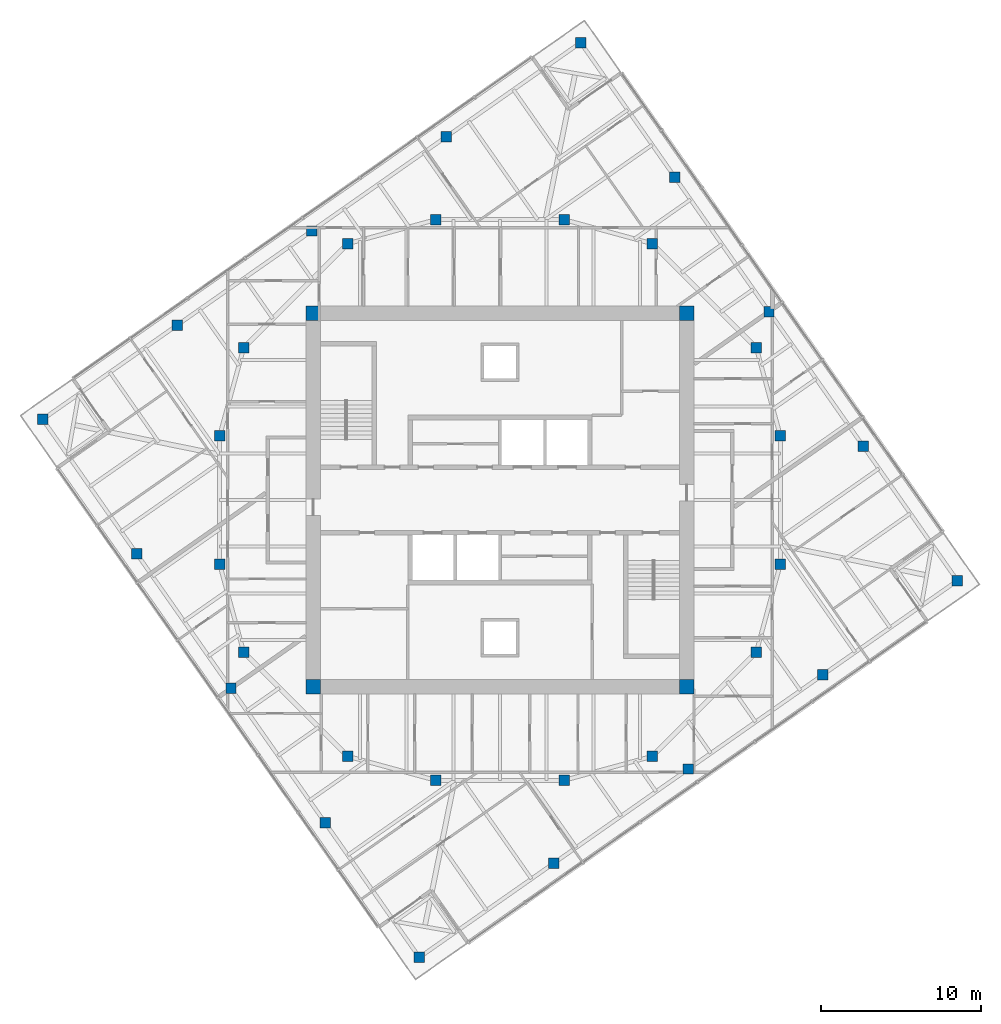
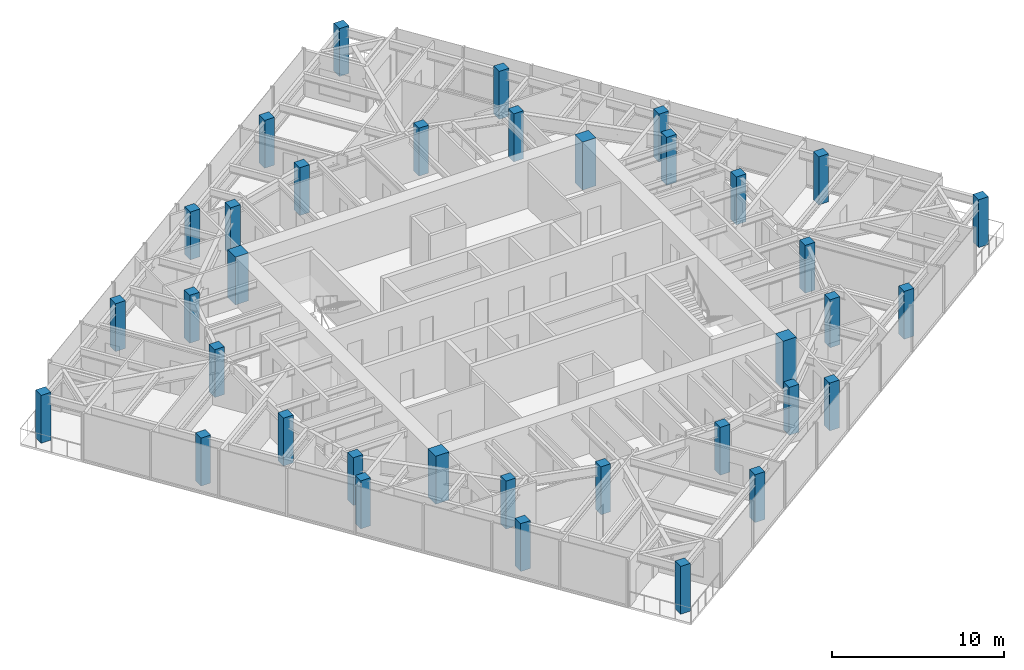
# One storey, part 1 of 12: 36 columns.
"""IFC4 building model written with IfcOpenShell, lengths in metres."""

from ifc_helpers import new_model, si_unit, direction, frame, origin, origin_2d, place, context, subcontext, project, spatial, rectangle, extrude, material, material_profile, profile_set, type_object, element, save


model = new_model("IFC4")

# Units and contexts
model_context = context("Model", 3, precision=1e-05, world=origin(), true_north=direction((0.0, 1.0)))
body_context = subcontext(model_context, "Body", "Model", "MODEL_VIEW")
ifc_project = project(units=[si_unit("LENGTHUNIT", "METRE"), si_unit("AREAUNIT", "SQUARE_METRE"), si_unit("VOLUMEUNIT", "CUBIC_METRE"), si_unit("PLANEANGLEUNIT", "RADIAN"), si_unit("MASSUNIT", "GRAM", prefix="KILO")], contexts=[model_context])

# Site, building, storey
site_placement = place(None, origin())
site = spatial("IfcSite", under=ifc_project, at=site_placement, CompositionType="ELEMENT")
building_placement = place(site_placement, origin())
building = spatial("IfcBuilding", under=site, at=building_placement, Name="Torsade Residences", CompositionType="ELEMENT")
storey_placement = place(building_placement, frame((0.0, 0.0, 243.800048828125)))
storey = spatial("IfcBuildingStorey", under=building, at=storey_placement, Name="L67", CompositionType="ELEMENT", Elevation=243.800048828125)

# Columns
ifc_material_1 = material(Name="Concrete 80 MPa", Category="concrete")
ifc_material_profile_1 = material_profile(ifc_material_1, rectangle(XDim=0.89990234375, YDim=0.89990234375, at=origin_2d()), Name="RC 900x900")
ifc_profile_set_1 = profile_set([ifc_material_profile_1], Name="Concrete 80 MPa")
column_type_1 = type_object("IfcColumnType", Name="CORE CORNER COLUMN RC 900x900", PredefinedType="COLUMN", material=ifc_profile_set_1)
for number, where, z_axis, x_axis, name in (
    (1, (28.35009765625, 18.35009765625, 0.0), (0.0, 0.0, 1.0), (1.0, 0.0, 0.0), "Core corner column CC1 L67"),
    (2, (51.64990234375, 18.35009765625, 0.0), (0.0, 0.0, 1.0), (1.0, 0.0, 0.0), "Core corner column CC2 L67"),
    (3, (51.64990234375, 41.64990234375, 0.0), (0.0, 0.0, 1.0), (1.0, 0.0, 0.0), "Core corner column CC3 L67"),
    (4, (28.35009765625, 41.64990234375, 0.0), (0.0, 0.0, 1.0), (1.0, 0.0, 0.0), "Core corner column CC4 L67"),
):
    element("IfcColumn", number, at=place(storey_placement, frame(where, z_axis=z_axis, x_axis=x_axis)), inside=storey, type_object=column_type_1, Name=name, PredefinedType="COLUMN", context=body_context, shape_type="SweptSolid", body=[
        extrude(rectangle(XDim=0.89990234375, YDim=0.89990234375, at=origin_2d()), origin(), (0.0, 0.0, 1.0), 3.39990234375),
    ])
ifc_material_2 = material(Name="Concrete 80 MPa", Category="concrete")
ifc_material_profile_2 = material_profile(ifc_material_2, rectangle(XDim=0.64990234375, YDim=0.64990234375, at=origin_2d()), Name="RC 650x650")
ifc_profile_set_2 = profile_set([ifc_material_profile_2], Name="Concrete 80 MPa")
column_type_2 = type_object("IfcColumnType", Name="INNER RING COLUMN RC 650x650", PredefinedType="COLUMN", material=ifc_profile_set_2)
for number, where, z_axis, x_axis, name in (
    (5, (57.5, 26.0, 0.0), (0.0, 0.0, 1.0), (1.0, 0.0, 0.0), "Inner ring column IR01 L67"),
    (6, (57.5, 34.0, 0.0), (0.0, 0.0, 1.0), (1.0, 0.0, 0.0), "Inner ring column IR02 L67"),
    (7, (56.0, 39.5, 0.0), (0.0, 0.0, 1.0), (1.0, 0.0, 0.0), "Inner ring column IR03 L67"),
    (8, (49.5, 46.0, 0.0), (0.0, 0.0, 1.0), (1.0, 0.0, 0.0), "Inner ring column IR04 L67"),
    (9, (44.0, 47.5, 0.0), (0.0, 0.0, 1.0), (1.0, 0.0, 0.0), "Inner ring column IR05 L67"),
    (10, (36.0, 47.5, 0.0), (0.0, 0.0, 1.0), (1.0, 0.0, 0.0), "Inner ring column IR06 L67"),
    (11, (30.5, 46.0, 0.0), (0.0, 0.0, 1.0), (1.0, 0.0, 0.0), "Inner ring column IR07 L67"),
    (12, (24.0, 39.5, 0.0), (0.0, 0.0, 1.0), (1.0, 0.0, 0.0), "Inner ring column IR08 L67"),
    (13, (22.5, 34.0, 0.0), (0.0, 0.0, 1.0), (1.0, 0.0, 0.0), "Inner ring column IR09 L67"),
    (14, (22.5, 26.0, 0.0), (0.0, 0.0, 1.0), (1.0, 0.0, 0.0), "Inner ring column IR10 L67"),
    (15, (24.0, 20.5, 0.0), (0.0, 0.0, 1.0), (1.0, 0.0, 0.0), "Inner ring column IR11 L67"),
    (16, (30.5, 14.0, 0.0), (0.0, 0.0, 1.0), (1.0, 0.0, 0.0), "Inner ring column IR12 L67"),
    (17, (36.0, 12.5, 0.0), (0.0, 0.0, 1.0), (1.0, 0.0, 0.0), "Inner ring column IR13 L67"),
    (18, (44.0, 12.5, 0.0), (0.0, 0.0, 1.0), (1.0, 0.0, 0.0), "Inner ring column IR14 L67"),
    (19, (49.5, 14.0, 0.0), (0.0, 0.0, 1.0), (1.0, 0.0, 0.0), "Inner ring column IR15 L67"),
    (20, (56.0, 20.5, 0.0), (0.0, 0.0, 1.0), (1.0, 0.0, 0.0), "Inner ring column IR16 L67"),
):
    element("IfcColumn", number, at=place(storey_placement, frame(where, z_axis=z_axis, x_axis=x_axis)), inside=storey, type_object=column_type_2, Name=name, PredefinedType="COLUMN", context=body_context, shape_type="SweptSolid", body=[
        extrude(rectangle(XDim=0.64990234375, YDim=0.64990234375, at=origin_2d()), origin(), (0.0, 0.0, 1.0), 3.39990234375),
    ])
ifc_material_3 = material(Name="Concrete 80 MPa", Category="concrete")
ifc_material_profile_3 = material_profile(ifc_material_3, rectangle(XDim=0.64990234375, YDim=0.64990234375, at=origin_2d()), Name="RC 650x650")
ifc_profile_set_3 = profile_set([ifc_material_profile_3], Name="Concrete 80 MPa")
column_type_3 = type_object("IfcColumnType", Name="TOWER COLUMN RC 650x650", PredefinedType="COLUMN", material=ifc_profile_set_3)
for number, where, z_axis, x_axis, name in (
    (21, (34.9658203125, 1.448974609375, 0.0), (0.0, 0.0, 1.0), (1.0, 0.0, 0.0), "Column TC8-01 L67"),
    (22, (43.362060546875, 7.328125, 0.0), (0.0, 0.0, 1.0), (1.0, 0.0, 0.0), "Column TC8-02 L67"),
    (23, (51.75830078125, 13.207275390625, 0.0), (0.0, 0.0, 1.0), (1.0, 0.0, 0.0), "Column TC8-03 L67"),
    (24, (60.154541015625, 19.08642578125, 0.0), (0.0, 0.0, 1.0), (1.0, 0.0, 0.0), "Column TC8-04 L67"),
    (25, (68.551025390625, 24.9658203125, 0.0), (0.0, 0.0, 1.0), (1.0, 0.0, 0.0), "Column TC8-05 L67"),
    (26, (62.671875, 33.362060546875, 0.0), (0.0, 0.0, 1.0), (1.0, 0.0, 0.0), "Column TC8-06 L67"),
    (27, (56.792724609375, 41.75830078125, 0.0), (0.0, 0.0, 1.0), (1.0, 0.0, 0.0), "Column TC8-07 L67"),
    (28, (50.91357421875, 50.154541015625, 0.0), (0.0, 0.0, 1.0), (1.0, 0.0, 0.0), "Column TC8-08 L67"),
    (29, (45.0341796875, 58.551025390625, 0.0), (0.0, 0.0, 1.0), (1.0, 0.0, 0.0), "Column TC8-09 L67"),
    (30, (36.637939453125, 52.671875, 0.0), (0.0, 0.0, 1.0), (1.0, 0.0, 0.0), "Column TC8-10 L67"),
    (31, (28.24169921875, 46.792724609375, 0.0), (0.0, 0.0, 1.0), (1.0, 0.0, 0.0), "Column TC8-11 L67"),
    (32, (19.845458984375, 40.91357421875, 0.0), (0.0, 0.0, 1.0), (1.0, 0.0, 0.0), "Column TC8-12 L67"),
    (33, (11.448974609375, 35.0341796875, 0.0), (0.0, 0.0, 1.0), (1.0, 0.0, 0.0), "Column TC8-13 L67"),
    (34, (17.328125, 26.637939453125, 0.0), (0.0, 0.0, 1.0), (1.0, 0.0, 0.0), "Column TC8-14 L67"),
    (35, (23.207275390625, 18.24169921875, 0.0), (0.0, 0.0, 1.0), (1.0, 0.0, 0.0), "Column TC8-15 L67"),
    (36, (29.08642578125, 9.845458984375, 0.0), (0.0, 0.0, 1.0), (1.0, 0.0, 0.0), "Column TC8-16 L67"),
):
    element("IfcColumn", number, at=place(storey_placement, frame(where, z_axis=z_axis, x_axis=x_axis)), inside=storey, type_object=column_type_3, Name=name, PredefinedType="COLUMN", context=body_context, shape_type="SweptSolid", body=[
        extrude(rectangle(XDim=0.64990234375, YDim=0.64990234375, at=origin_2d()), origin(), (0.0, 0.0, 1.0), 3.39990234375),
    ])

save(model, "model.ifc")
